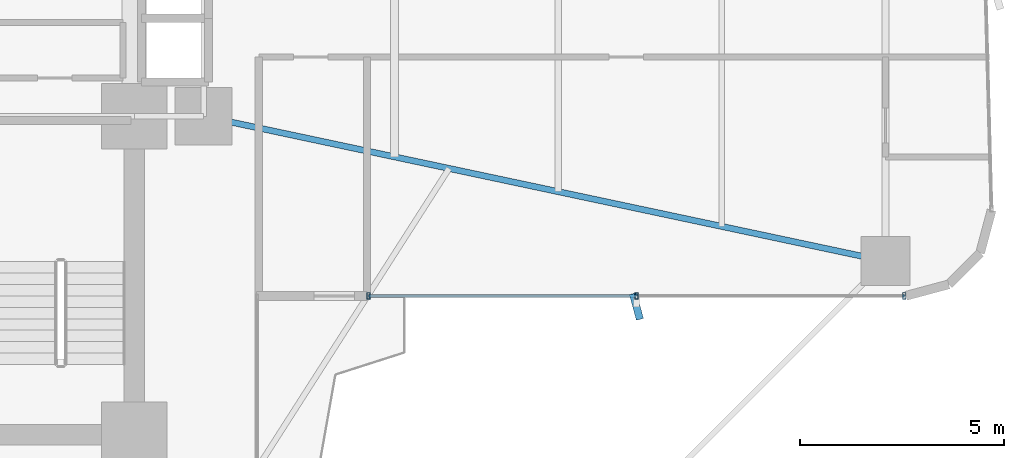
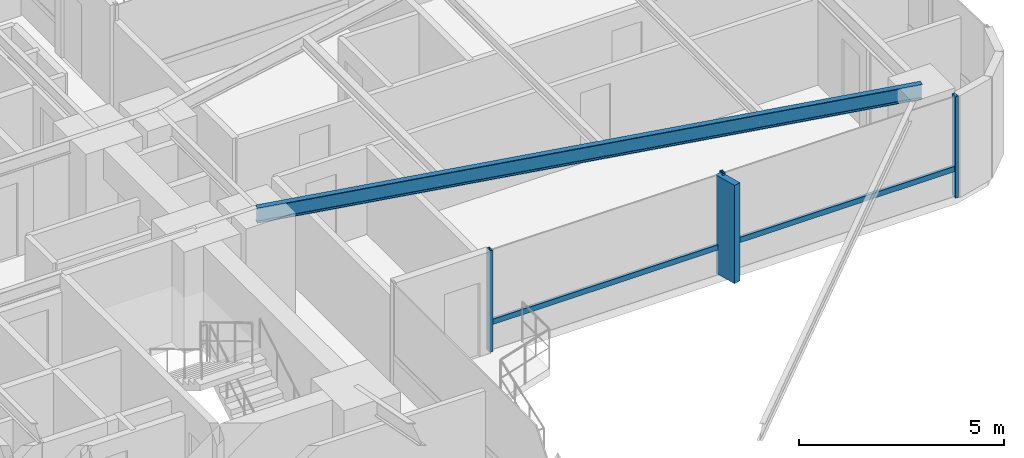
# One storey, part 14 of 25: 6 members, 1 beam, 1 element without a shape of its own.
"""IFC4 building model written with IfcOpenShell, lengths in metres."""

from ifc_helpers import new_model, si_unit, direction, frame, origin, origin_2d, place, context, subcontext, project, spatial, rectangle, hollow_rectangle, i_section, extrude, source, transform, mapped, material, material_profile, profile_set, type_object, element, aggregate, save


model = new_model("IFC4")

# Units and contexts
model_context = context("Model", 3, precision=1e-05, world=origin(), true_north=direction((0.0, 1.0)))
body_context = subcontext(model_context, "Body", "Model", "MODEL_VIEW")
ifc_project = project(units=[si_unit("LENGTHUNIT", "METRE"), si_unit("AREAUNIT", "SQUARE_METRE"), si_unit("VOLUMEUNIT", "CUBIC_METRE"), si_unit("PLANEANGLEUNIT", "RADIAN"), si_unit("MASSUNIT", "GRAM", prefix="KILO")], contexts=[model_context])

# Site, building, storey
site_placement = place(None, origin())
site = spatial("IfcSite", under=ifc_project, at=site_placement, CompositionType="ELEMENT")
building_placement = place(site_placement, origin())
building = spatial("IfcBuilding", under=site, at=building_placement, Name="Sahyath Konkavel Grand Hotel", CompositionType="ELEMENT")
storey_placement = place(building_placement, frame((0.0, 0.0, 71.14990234375)))
storey = spatial("IfcBuildingStorey", under=building, at=storey_placement, Name="L19", CompositionType="ELEMENT", Elevation=71.14990234375)

# Beam
ifc_material_1 = material(Name="Steel E350", Category="steel")
ifc_material_profile_1 = material_profile(ifc_material_1, i_section(OverallWidth=0.14990234375, OverallDepth=0.449951171875, WebThickness=0.009521484375, FlangeThickness=0.017333984375, FilletRadius=0.014892578125, at=origin_2d()), Name="ISMB 450")
ifc_profile_set_1 = profile_set([ifc_material_profile_1], Name="Steel E350")
beam_type = type_object("IfcBeamType", Name="BM-ISMB450", PredefinedType="BEAM", material=ifc_profile_set_1)
shared_shape_1 = source(origin(), body_context, "Body", "SweptSolid", [
    extrude(i_section(OverallWidth=0.14990234375, OverallDepth=0.449951171875, WebThickness=0.009521484375, FlangeThickness=0.017333984375, FilletRadius=0.014892578125, at=origin_2d()), origin(), (0.0, 0.0, 1.0), 17.072998046875),
])
beam_placement = place(storey_placement, frame((5.5, -2.39990234375, 2.80517578125), z_axis=(0.978143257225, -0.20793212437, 0.0), x_axis=(0.20793212437, 0.978143257225, 0.0)))
element("IfcBeam", 1, at=beam_placement, inside=storey, type_object=beam_type, Name="L19 Cruciform Radial Girder EA", PredefinedType="BEAM", context=body_context, shape_type="MappedRepresentation", body=[
    mapped(shared_shape_1, transform((0.0, 0.0, 0.0), scale=1.0)),
])

# Curtain wall, members
ifc_material_2 = material(Name="Anodised Bronze Aluminium & Low-E Glazing", Category="aluminium")
curtain_wall_type = type_object("IfcCurtainWallType", Name="CW-ZONE1", PredefinedType="NOTDEFINED", material=ifc_material_2)
curtain_wall_placement = place(storey_placement, origin())
curtain_wall = element("IfcCurtainWall", 2, at=curtain_wall_placement, inside=storey, type_object=curtain_wall_type, Name="L19 Unitised Curtain Wall F0", PredefinedType="NOTDEFINED")
ifc_material_3 = material(Name="Anodised Bronze Aluminium", Category="aluminium")
ifc_material_profile_2 = material_profile(ifc_material_3, hollow_rectangle(XDim=0.080078125, YDim=0.159912109375, WallThickness=0.006103515625, at=origin_2d()), Name="RHS 160x80x6")
ifc_profile_set_2 = profile_set([ifc_material_profile_2], Name="Anodised Bronze Aluminium")
member_type_1 = type_object("IfcMemberType", Name="CW-TRN-160", PredefinedType="USERDEFINED", material=ifc_profile_set_2)
shared_shape_2 = source(origin(), body_context, "Body", "SweptSolid", [
    extrude(hollow_rectangle(XDim=0.080078125, YDim=0.159912109375, WallThickness=0.006103515625, at=origin_2d()), origin(), (0.0, 0.0, 1.0), 6.56005859375),
])
member_1_placement = place(storey_placement, frame((9.5400390625, -6.800048828125, 0.85009765625), z_axis=(1.0, 0.0, 0.0), x_axis=(0.0, 1.0, 0.0)))
member_1 = element("IfcMember", 3, at=member_1_placement, type_object=member_type_1, Name="L19 Curtain Wall Transom F0-0-spandrel", ObjectType="TRANSOM", PredefinedType="USERDEFINED", context=body_context, shape_type="MappedRepresentation", body=[
    mapped(shared_shape_2, transform((0.0, 0.0, 0.0), scale=1.0)),
])
shared_shape_3 = source(origin(), body_context, "Body", "SweptSolid", [
    extrude(hollow_rectangle(XDim=0.080078125, YDim=0.159912109375, WallThickness=0.006103515625, at=origin_2d()), origin(), (0.0, 0.0, 1.0), 6.559814453125),
])
member_2_placement = place(storey_placement, frame((16.10009765625, -6.800048828125, 0.85009765625), z_axis=(1.0, 0.0, 0.0), x_axis=(0.0, 1.0, 0.0)))
member_2 = element("IfcMember", 4, at=member_2_placement, type_object=member_type_1, Name="L19 Curtain Wall Transom F0-1-spandrel", ObjectType="TRANSOM", PredefinedType="USERDEFINED", context=body_context, shape_type="MappedRepresentation", body=[
    mapped(shared_shape_3, transform((0.0, 0.0, 0.0), scale=1.0)),
])
ifc_material_profile_3 = material_profile(ifc_material_3, hollow_rectangle(XDim=0.080078125, YDim=0.159912109375, WallThickness=0.006103515625, at=origin_2d()), Name="RHS 160x80x6")
ifc_profile_set_3 = profile_set([ifc_material_profile_3], Name="Anodised Bronze Aluminium")
member_type_2 = type_object("IfcMemberType", Name="CW-MUL-160", PredefinedType="MULLION", material=ifc_profile_set_3)
shared_shape_4 = source(origin(), body_context, "Body", "SweptSolid", [
    extrude(hollow_rectangle(XDim=0.080078125, YDim=0.159912109375, WallThickness=0.006103515625, at=origin_2d()), origin(), (0.0, 0.0, 1.0), 3.030029296875),
])
member_3_placement = place(storey_placement, frame((9.5400390625, -6.800048828125, 0.0), z_axis=(0.0, 0.0, 1.0), x_axis=(1.0, 0.0, 0.0)))
member_3 = element("IfcMember", 5, at=member_3_placement, type_object=member_type_2, Name="L19 Curtain Wall Mullion F0-0", PredefinedType="MULLION", context=body_context, shape_type="MappedRepresentation", body=[
    mapped(shared_shape_4, transform((0.0, 0.0, 0.0), scale=1.0)),
])
member_4_placement = place(storey_placement, frame((16.10009765625, -6.800048828125, 0.0), z_axis=(0.0, 0.0, 1.0), x_axis=(1.0, 0.0, 0.0)))
member_4 = element("IfcMember", 6, at=member_4_placement, type_object=member_type_2, Name="L19 Curtain Wall Mullion F0-1", PredefinedType="MULLION", context=body_context, shape_type="MappedRepresentation", body=[
    mapped(shared_shape_4, transform((0.0, 0.0, 0.0), scale=1.0)),
])
member_5_placement = place(storey_placement, frame((22.659912109375, -6.800048828125, 0.0), z_axis=(0.0, 0.0, 1.0), x_axis=(1.0, 0.0, 0.0)))
member_5 = element("IfcMember", 7, at=member_5_placement, type_object=member_type_2, Name="L19 Curtain Wall Mullion F0-2", PredefinedType="MULLION", context=body_context, shape_type="MappedRepresentation", body=[
    mapped(shared_shape_4, transform((0.0, 0.0, 0.0), scale=1.0)),
])
ifc_material_4 = material(Name="Warm Buff Sandstone Cladding on Concrete C50/60", Category="masonry")
ifc_material_profile_4 = material_profile(ifc_material_4, rectangle(XDim=0.179931640625, YDim=0.64990234375, at=origin_2d()), Name="FIN 180x650")
ifc_profile_set_4 = profile_set([ifc_material_profile_4], Name="Warm Buff Sandstone Cladding on Concrete C50/60")
member_type_3 = type_object("IfcMemberType", Name="FIN-SANDSTONE-650", PredefinedType="MULLION", material=ifc_profile_set_4)
shared_shape_5 = source(origin(), body_context, "Body", "SweptSolid", [
    extrude(rectangle(XDim=0.179931640625, YDim=0.64990234375, at=origin_2d()), origin(), (0.0, 0.0, 1.0), 2.929931640625),
])
member_6_placement = place(storey_placement, frame((16.10009765625, -7.06005859375, 0.050048828125), z_axis=(0.0, 0.0, 1.0), x_axis=(0.965016494472, 0.262189178641, 0.0)))
member_6 = element("IfcMember", 8, at=member_6_placement, type_object=member_type_3, Name="L19 Sandstone Vertical Solar Fin FIN F0-1", PredefinedType="MULLION", context=body_context, shape_type="MappedRepresentation", body=[
    mapped(shared_shape_5, transform((0.0, 0.0, 0.0), scale=1.0)),
])
aggregate(curtain_wall, [member_3, member_4, member_6, member_5, member_1, member_2])

save(model, "model.ifc")
